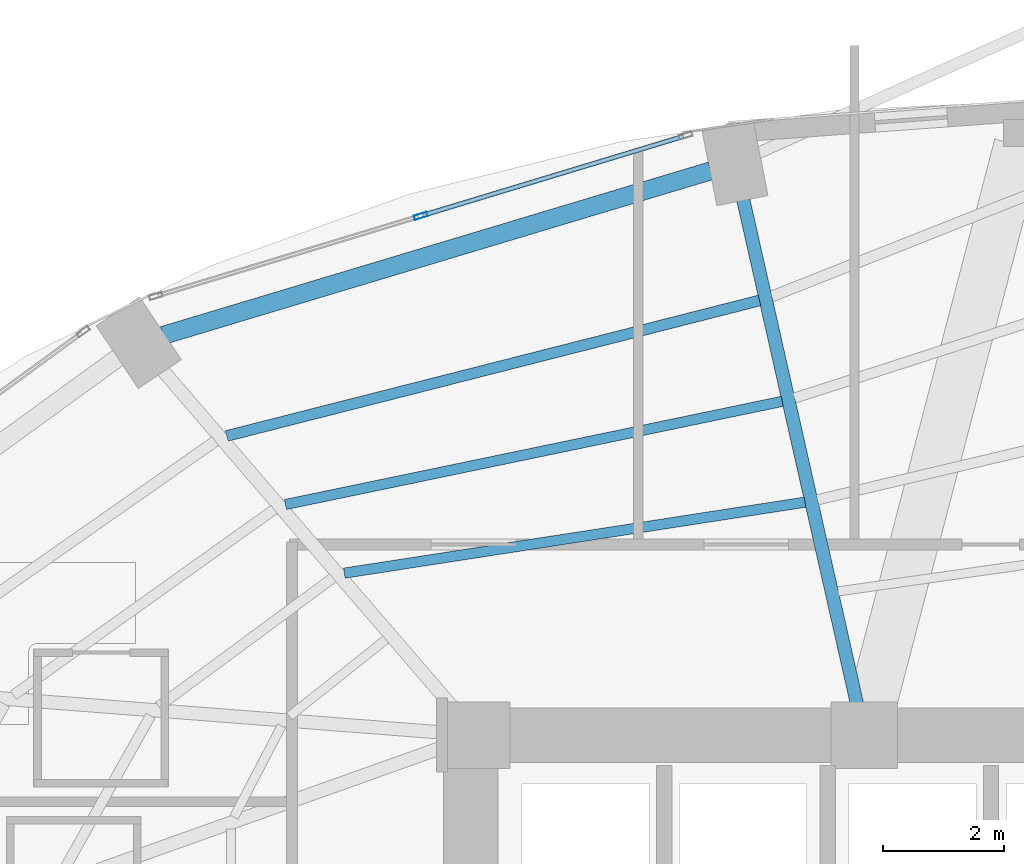
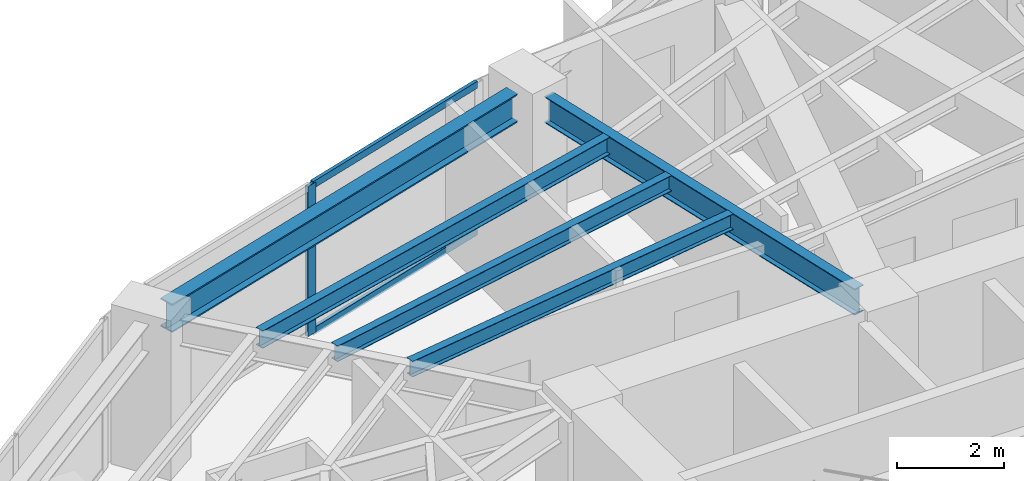
# One storey, part 14 of 24: 5 beams, 3 members, 1 element without a shape of its own.
"""IFC4 building model written with IfcOpenShell, lengths in metres."""

from ifc_helpers import new_model, si_unit, direction, frame, origin, origin_2d, place, context, subcontext, project, spatial, hollow_rectangle, i_section, extrude, material, layer, layer_set, material_profile, profile_set, type_object, element, aggregate, save


model = new_model("IFC4")

# Units and contexts
model_context = context("Model", 3, precision=1e-05, world=origin(), true_north=direction((0.0, 1.0)))
body_context = subcontext(model_context, "Body", "Model", "MODEL_VIEW")
ifc_project = project(units=[si_unit("LENGTHUNIT", "METRE"), si_unit("AREAUNIT", "SQUARE_METRE"), si_unit("VOLUMEUNIT", "CUBIC_METRE"), si_unit("PLANEANGLEUNIT", "RADIAN"), si_unit("MASSUNIT", "GRAM", prefix="KILO")], contexts=[model_context])

# Site, building, storey
site_placement = place(None, origin())
site = spatial("IfcSite", under=ifc_project, at=site_placement, CompositionType="ELEMENT")
building_placement = place(site_placement, origin())
building = spatial("IfcBuilding", under=site, at=building_placement, Name="Lazwardi Medical Tower", CompositionType="ELEMENT")
storey_placement = place(building_placement, frame((0.0, 0.0, 54.384033203125)))
storey = spatial("IfcBuildingStorey", under=building, at=storey_placement, Name="L13", CompositionType="ELEMENT", Elevation=54.384033203125)

# Beams
ifc_material_1 = material(Name="Steel S355", Category="steel")
ifc_material_profile_1 = material_profile(ifc_material_1, i_section(OverallWidth=0.300048828125, OverallDepth=0.64990234375, WebThickness=0.01611328125, FlangeThickness=0.031005859375, at=origin_2d()), Name="HEB 650")
ifc_profile_set_1 = profile_set([ifc_material_profile_1], Name="Steel S355")
beam_type_1 = type_object("IfcBeamType", Name="BM-RB-Z1", PredefinedType="BEAM", material=ifc_profile_set_1)
beam_1_placement = place(storey_placement, frame((30.26708984375, 44.923095703125, 3.10302734375), z_axis=(-0.957695289269, -0.287784177662, 0.0), x_axis=(0.287784177662, -0.957695289269, 0.0)))
element("IfcBeam", 1, at=beam_1_placement, inside=storey, type_object=beam_type_1, Name="Ring beam RB-02 B09 L13", PredefinedType="BEAM", context=body_context, shape_type="SweptSolid", body=[
    extrude(i_section(OverallWidth=0.300048828125, OverallDepth=0.64990234375, WebThickness=0.01611328125, FlangeThickness=0.031005859375, at=origin_2d()), origin(), (0.0, 0.0, 1.0), 9.445556640625),
])
ifc_material_profile_2 = material_profile(ifc_material_1, i_section(OverallWidth=0.219970703125, OverallDepth=0.60009765625, WebThickness=0.011962890625, FlangeThickness=0.01904296875, at=origin_2d()), Name="IPE 600")
ifc_profile_set_2 = profile_set([ifc_material_profile_2], Name="Steel S355")
beam_type_2 = type_object("IfcBeamType", Name="BM-RG-W1", PredefinedType="BEAM", material=ifc_profile_set_2)
beam_2_placement = place(storey_placement, frame((30.796875, 44.478271484375, 3.1279296875), z_axis=(0.22010079219, -0.975477135189, 0.0), x_axis=(0.975477135189, 0.22010079219, 0.0)))
element("IfcBeam", 2, at=beam_2_placement, inside=storey, type_object=beam_type_2, Name="Radial girder RG-02 R09 L13", PredefinedType="BEAM", context=body_context, shape_type="SweptSolid", body=[
    extrude(i_section(OverallWidth=0.219970703125, OverallDepth=0.60009765625, WebThickness=0.011962890625, FlangeThickness=0.01904296875, at=origin_2d()), origin(), (0.0, 0.0, 1.0), 8.56640625),
])
ifc_material_profile_3 = material_profile(ifc_material_1, i_section(OverallWidth=0.179931640625, OverallDepth=0.39990234375, WebThickness=0.008544921875, FlangeThickness=0.013427734375, at=origin_2d()), Name="IPE 400")
ifc_profile_set_3 = profile_set([ifc_material_profile_3], Name="Steel S355")
beam_type_3 = type_object("IfcBeamType", Name="BM-SJ-01", PredefinedType="JOIST", material=ifc_profile_set_3)
beam_3_placement = place(storey_placement, frame((31.072265625, 42.781005859375, 3.22802734375), z_axis=(-0.969151012048, -0.246467677081, 0.0), x_axis=(0.246467677081, -0.969151012048, 0.0)))
element("IfcBeam", 3, at=beam_3_placement, inside=storey, type_object=beam_type_3, Name="Secondary joist SJ-01 R1 B09 L13", PredefinedType="JOIST", context=body_context, shape_type="SweptSolid", body=[
    extrude(i_section(OverallWidth=0.179931640625, OverallDepth=0.39990234375, WebThickness=0.008544921875, FlangeThickness=0.013427734375, at=origin_2d()), origin(), (0.0, 0.0, 1.0), 9.08251953125),
])
ifc_material_profile_4 = material_profile(ifc_material_1, i_section(OverallWidth=0.169921875, OverallDepth=0.360107421875, WebThickness=0.008056640625, FlangeThickness=0.0126953125, at=origin_2d()), Name="IPE 360")
ifc_profile_set_4 = profile_set([ifc_material_profile_4], Name="Steel S355")
beam_type_4 = type_object("IfcBeamType", Name="BM-SJ-02", PredefinedType="JOIST", material=ifc_profile_set_4)
beam_4_placement = place(storey_placement, frame((31.4482421875, 41.114501953125, 3.248046875), z_axis=(-0.979107693723, -0.203342381445, 0.0), x_axis=(0.203342381445, -0.979107693723, 0.0)))
element("IfcBeam", 4, at=beam_4_placement, inside=storey, type_object=beam_type_4, Name="Secondary joist SJ-02 R2 B09 L13", PredefinedType="JOIST", context=body_context, shape_type="SweptSolid", body=[
    extrude(i_section(OverallWidth=0.169921875, OverallDepth=0.360107421875, WebThickness=0.008056640625, FlangeThickness=0.0126953125, at=origin_2d()), origin(), (0.0, 0.0, 1.0), 8.381591796875),
])
beam_5_placement = place(storey_placement, frame((31.824462890625, 39.448486328125, 3.248046875), z_axis=(-0.988362899594, -0.152114360618, 0.0), x_axis=(0.152114360618, -0.988362899594, 0.0)))
element("IfcBeam", 5, at=beam_5_placement, inside=storey, type_object=beam_type_4, Name="Secondary joist SJ-02 R3 B09 L13", PredefinedType="JOIST", context=body_context, shape_type="SweptSolid", body=[
    extrude(i_section(OverallWidth=0.169921875, OverallDepth=0.360107421875, WebThickness=0.008056640625, FlangeThickness=0.0126953125, at=origin_2d()), origin(), (0.0, 0.0, 1.0), 7.70068359375),
])

# Curtain wall, members
ifc_material_2 = material(Name="Anodised bronze aluminium and solar control glazing", Category="aluminium")
ifc_layer = layer(ifc_material_2, 0.199951171875)
ifc_layer_set = layer_set([ifc_layer], Name="Anodised bronze aluminium and solar control glazing")
curtain_wall_type = type_object("IfcCurtainWallType", Name="CW-SYS-02", PredefinedType="NOTDEFINED", material=ifc_layer_set)
curtain_wall_placement = place(storey_placement, origin())
curtain_wall = element("IfcCurtainWall", 6, at=curtain_wall_placement, inside=storey, type_object=curtain_wall_type, Name="L13 Unitised bronze curtain wall CW-02", PredefinedType="NOTDEFINED")
ifc_material_3 = material(Name="Anodised bronze aluminium", Category="aluminium")
ifc_material_profile_5 = material_profile(ifc_material_3, hollow_rectangle(XDim=0.074951171875, YDim=0.219970703125, WallThickness=0.00390625, at=origin_2d()), Name="ALU-MULLION 220x75x4")
ifc_profile_set_5 = profile_set([ifc_material_profile_5], Name="Anodised bronze aluminium")
member_type_1 = type_object("IfcMemberType", Name="CW-MUL-01", PredefinedType="MULLION", material=ifc_profile_set_5)
member_1_placement = place(storey_placement, frame((25.476806640625, 44.178466796875, 0.0), z_axis=(0.0, 0.0, 1.0), x_axis=(0.2898956909, -0.957058247129, 0.0)))
member_1 = element("IfcMember", 7, at=member_1_placement, type_object=member_type_1, Name="CW-02 mullion 2", PredefinedType="MULLION", context=body_context, shape_type="SweptSolid", body=[
    extrude(hollow_rectangle(XDim=0.074951171875, YDim=0.219970703125, WallThickness=0.00390625, at=origin_2d()), origin(), (0.0, 0.0, 1.0), 3.427978515625),
])
ifc_material_profile_6 = material_profile(ifc_material_3, hollow_rectangle(XDim=0.074951171875, YDim=0.159912109375, WallThickness=0.00390625, at=origin_2d()), Name="ALU-TRANSOM 160x75x4")
ifc_profile_set_6 = profile_set([ifc_material_profile_6], Name="Anodised bronze aluminium")
member_type_2 = type_object("IfcMemberType", Name="CW-TRN-01", PredefinedType="USERDEFINED", material=ifc_profile_set_6)
member_2_placement = place(storey_placement, frame((29.816162109375, 45.492919921875, 0.037353515625), z_axis=(-0.957047233423, -0.28993204893, 0.0), x_axis=(0.28993204893, -0.957047233423, 0.0)))
member_2 = element("IfcMember", 8, at=member_2_placement, type_object=member_type_2, Name="CW-02 transom 1.1", ObjectType="TRANSOM", PredefinedType="USERDEFINED", context=body_context, shape_type="SweptSolid", body=[
    extrude(hollow_rectangle(XDim=0.074951171875, YDim=0.159912109375, WallThickness=0.00390625, at=origin_2d()), origin(), (0.0, 0.0, 1.0), 4.49658203125),
])
member_3_placement = place(storey_placement, frame((29.816162109375, 45.492919921875, 3.390380859375), z_axis=(-0.957047233423, -0.28993204893, 0.0), x_axis=(0.28993204893, -0.957047233423, 0.0)))
member_3 = element("IfcMember", 9, at=member_3_placement, type_object=member_type_2, Name="CW-02 transom 1.2", ObjectType="TRANSOM", PredefinedType="USERDEFINED", context=body_context, shape_type="SweptSolid", body=[
    extrude(hollow_rectangle(XDim=0.074951171875, YDim=0.159912109375, WallThickness=0.00390625, at=origin_2d()), origin(), (0.0, 0.0, 1.0), 4.49658203125),
])
aggregate(curtain_wall, [member_1, member_2, member_3])

save(model, "model.ifc")
